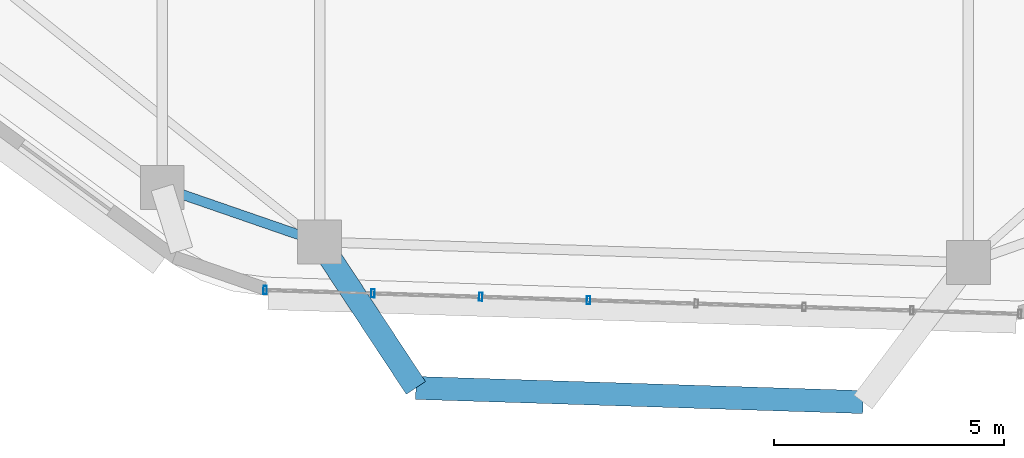
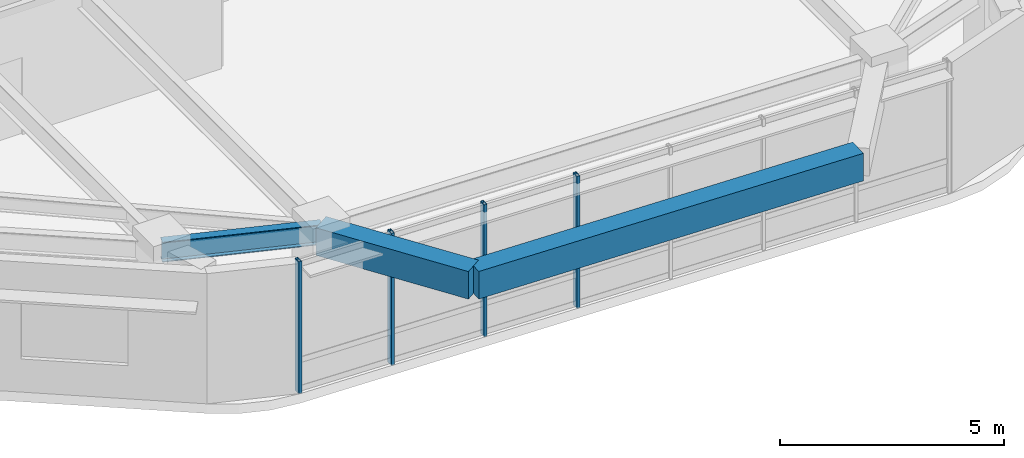
# One storey, part 2 of 12: 4 members, 3 beams, 1 element without a shape of its own.
"""IFC4 building model written with IfcOpenShell, lengths in metres."""

from ifc_helpers import new_model, si_unit, direction, frame, origin, origin_2d, place, context, subcontext, project, spatial, rectangle, hollow_rectangle, i_section, extrude, material, material_profile, profile_set, type_object, element, aggregate, save


model = new_model("IFC4")

# Units and contexts
model_context = context("Model", 3, precision=1e-05, world=origin(), true_north=direction((0.0, 1.0)))
body_context = subcontext(model_context, "Body", "Model", "MODEL_VIEW")
ifc_project = project(units=[si_unit("LENGTHUNIT", "METRE"), si_unit("AREAUNIT", "SQUARE_METRE"), si_unit("VOLUMEUNIT", "CUBIC_METRE"), si_unit("PLANEANGLEUNIT", "RADIAN"), si_unit("MASSUNIT", "GRAM", prefix="KILO")], contexts=[model_context])

# Site, building, storey
site_placement = place(None, origin())
site = spatial("IfcSite", under=ifc_project, at=site_placement, CompositionType="ELEMENT")
building_placement = place(site_placement, origin())
building = spatial("IfcBuilding", under=site, at=building_placement, Name="Zulverin Broadcast Headquarters", CompositionType="ELEMENT")
storey_placement = place(building_placement, frame((0.0, 0.0, 185.800048828125)))
storey = spatial("IfcBuildingStorey", under=building, at=storey_placement, Name="L47", CompositionType="ELEMENT", Elevation=185.800048828125)

# Beams
ifc_material_1 = material(Name="Concrete C40/50", Category="concrete")
ifc_material_profile_1 = material_profile(ifc_material_1, rectangle(XDim=0.5, YDim=0.75, at=origin_2d()), Name="Concrete C40/50", Category="concrete")
ifc_profile_set_1 = profile_set([ifc_material_profile_1], Name="Concrete C40/50")
beam_type_1 = type_object("IfcBeamType", Name="BM-RC-500x750", PredefinedType="BEAM", material=ifc_profile_set_1)
beam_1_placement = place(storey_placement, frame((30.80859375, 4.12744140625, 3.1650390625), z_axis=(0.550750010235, -0.834670249995, 0.0), x_axis=(0.834670249995, 0.550750010235, 0.0)))
element("IfcBeam", 1, at=beam_1_placement, inside=storey, type_object=beam_type_1, Name="L48 Balcony Column-Framed Cantilever BAL_S-1", PredefinedType="BEAM", context=body_context, shape_type="SweptSolid", body=[
    extrude(rectangle(XDim=0.5, YDim=0.75, at=origin_2d()), origin(), (0.0, 0.0, 1.0), 3.7998046875),
])
beam_2_placement = place(storey_placement, frame((32.9013671875, 0.955810546875, 3.1650390625), z_axis=(0.999497069167, -0.031711334364, 0.0), x_axis=(0.031711334364, 0.999497069167, 0.0)))
element("IfcBeam", 2, at=beam_2_placement, inside=storey, type_object=beam_type_1, Name="L48 Balcony Outer Edge Trimmer Beam BAL_S", PredefinedType="BEAM", context=body_context, shape_type="SweptSolid", body=[
    extrude(rectangle(XDim=0.5, YDim=0.75, at=origin_2d()), origin(), (0.0, 0.0, 1.0), 9.7236328125),
])
ifc_material_2 = material(Name="Structural steel S355JR", Category="steel")
ifc_material_profile_2 = material_profile(ifc_material_2, i_section(OverallWidth=0.2119140625, OverallDepth=0.54443359375, WebThickness=0.0126953125, FlangeThickness=0.021240234375, at=origin_2d()), Name="Structural steel S355JR", Category="steel")
ifc_profile_set_2 = profile_set([ifc_material_profile_2], Name="Structural steel S355JR")
beam_type_2 = type_object("IfcBeamType", Name="BM-UB-533", PredefinedType="SPANDREL", material=ifc_profile_set_2)
beam_3_placement = place(storey_placement, frame((27.38720703125, 5.309814453125, 3.267578125), z_axis=(0.945152732867, -0.326628705956, 0.0), x_axis=(0.326628705956, 0.945152732867, 0.0)))
element("IfcBeam", 3, at=beam_3_placement, inside=storey, type_object=beam_type_2, Name="L47 Perimeter Spandrel Beam SP-16", PredefinedType="SPANDREL", context=body_context, shape_type="SweptSolid", body=[
    extrude(i_section(OverallWidth=0.2119140625, OverallDepth=0.54443359375, WebThickness=0.0126953125, FlangeThickness=0.021240234375, at=origin_2d()), origin(), (0.0, 0.0, 1.0), 3.619873046875),
])

# Curtain wall, members
ifc_material_3 = material(Name="Waist wind-pressure unitised curtain wall", Category="aluminium")
curtain_wall_type = type_object("IfcCurtainWallType", Name="CW-TWR-WST", PredefinedType="USERDEFINED", material=ifc_material_3)
curtain_wall_placement = place(storey_placement, origin())
curtain_wall = element("IfcCurtainWall", 4, at=curtain_wall_placement, inside=storey, type_object=curtain_wall_type, Name="L47 Unitised Curtain Wall CW-L47-E1", ObjectType="UNITISED CURTAIN WALL", PredefinedType="USERDEFINED")
ifc_material_4 = material(Name="Anodized pale-metal aluminium alloy 6063-T6", Category="aluminium")
ifc_material_profile_3 = material_profile(ifc_material_4, hollow_rectangle(XDim=0.074951171875, YDim=0.179931640625, WallThickness=0.0048828125, at=origin_2d()), Name="Anodized pale-metal aluminium alloy 6063-T6", Category="aluminium")
ifc_profile_set_3 = profile_set([ifc_material_profile_3], Name="Anodized pale-metal aluminium alloy 6063-T6")
member_type = type_object("IfcMemberType", Name="CW-MUL-180", PredefinedType="MULLION", material=ifc_profile_set_3)
member_1_placement = place(storey_placement, frame((29.625, 3.08447265625, -0.030029296875), z_axis=(0.0, 0.0, 1.0), x_axis=(0.999497141269, -0.031709061709, 0.0)))
member_1 = element("IfcMember", 5, at=member_1_placement, type_object=member_type, Name="CW-L47-E1 Mullion 00", PredefinedType="MULLION", context=body_context, shape_type="SweptSolid", body=[
    extrude(hollow_rectangle(XDim=0.074951171875, YDim=0.179931640625, WallThickness=0.0048828125, at=origin_2d()), origin(), (0.0, 0.0, 1.0), 3.60009765625),
])
member_2_placement = place(storey_placement, frame((31.9677734375, 3.01025390625, -0.030029296875), z_axis=(0.0, 0.0, 1.0), x_axis=(0.999497141269, -0.031709061709, 0.0)))
member_2 = element("IfcMember", 6, at=member_2_placement, type_object=member_type, Name="CW-L47-E1 Mullion 01", PredefinedType="MULLION", context=body_context, shape_type="SweptSolid", body=[
    extrude(hollow_rectangle(XDim=0.074951171875, YDim=0.179931640625, WallThickness=0.0048828125, at=origin_2d()), origin(), (0.0, 0.0, 1.0), 3.60009765625),
])
member_3_placement = place(storey_placement, frame((34.310546875, 2.935791015625, -0.030029296875), z_axis=(0.0, 0.0, 1.0), x_axis=(0.999497141269, -0.031709061709, 0.0)))
member_3 = element("IfcMember", 7, at=member_3_placement, type_object=member_type, Name="CW-L47-E1 Mullion 02", PredefinedType="MULLION", context=body_context, shape_type="SweptSolid", body=[
    extrude(hollow_rectangle(XDim=0.074951171875, YDim=0.179931640625, WallThickness=0.0048828125, at=origin_2d()), origin(), (0.0, 0.0, 1.0), 3.60009765625),
])
member_4_placement = place(storey_placement, frame((36.653564453125, 2.861572265625, -0.030029296875), z_axis=(0.0, 0.0, 1.0), x_axis=(0.999497141269, -0.031709061709, 0.0)))
member_4 = element("IfcMember", 8, at=member_4_placement, type_object=member_type, Name="CW-L47-E1 Mullion 03", PredefinedType="MULLION", context=body_context, shape_type="SweptSolid", body=[
    extrude(hollow_rectangle(XDim=0.074951171875, YDim=0.179931640625, WallThickness=0.0048828125, at=origin_2d()), origin(), (0.0, 0.0, 1.0), 3.60009765625),
])
aggregate(curtain_wall, [member_1, member_2, member_3, member_4])

save(model, "model.ifc")
